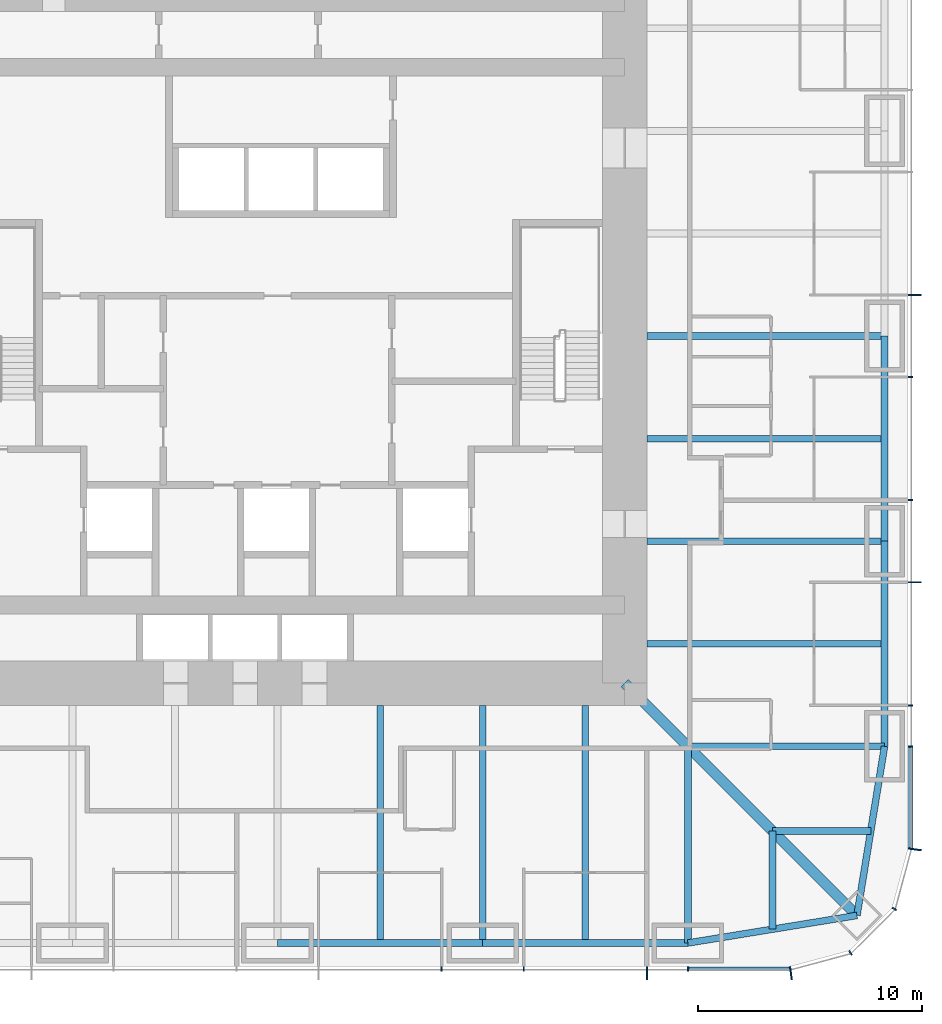
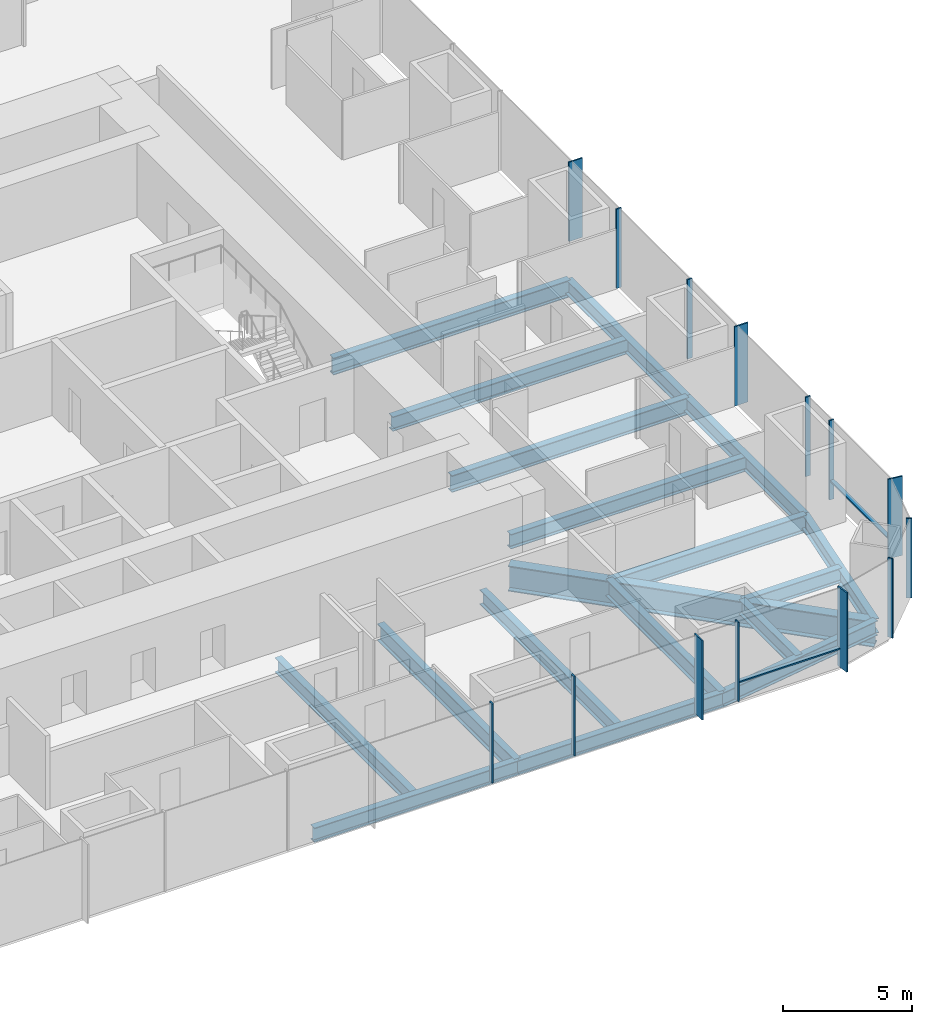
# One storey, part 3 of 12: 18 beams, 16 members, 3 elements without a shape of their own.
"""IFC4 building model written with IfcOpenShell, lengths in metres."""

from ifc_helpers import new_model, si_unit, direction, frame, origin, origin_2d, place, context, subcontext, project, spatial, rectangle, i_section, extrude, material, material_profile, profile_set, type_object, element, aggregate, save


model = new_model("IFC4")

# Units and contexts
model_context = context("Model", 3, precision=1e-05, world=origin(), true_north=direction((0.0, 1.0)))
body_context = subcontext(model_context, "Body", "Model", "MODEL_VIEW")
ifc_project = project(units=[si_unit("LENGTHUNIT", "METRE"), si_unit("AREAUNIT", "SQUARE_METRE"), si_unit("VOLUMEUNIT", "CUBIC_METRE"), si_unit("PLANEANGLEUNIT", "RADIAN"), si_unit("MASSUNIT", "GRAM", prefix="KILO")], contexts=[model_context])

# Site, building, storey
site_placement = place(None, origin())
site = spatial("IfcSite", under=ifc_project, at=site_placement, CompositionType="ELEMENT")
building_placement = place(site_placement, origin())
building = spatial("IfcBuilding", under=site, at=building_placement, Name="Khuree Lantern Residences", CompositionType="ELEMENT")
storey_placement = place(building_placement, frame((0.0, 0.0, 178.5)))
storey = spatial("IfcBuildingStorey", under=building, at=storey_placement, Name="L45", CompositionType="ELEMENT", Elevation=178.5)

# Beams
ifc_material_1 = material(Name="Steel S355", Category="steel")
ifc_material_profile_1 = material_profile(ifc_material_1, i_section(OverallWidth=0.300048828125, OverallDepth=0.68994140625, WebThickness=0.014404296875, FlangeThickness=0.027099609375, FilletRadius=0.027099609375, at=origin_2d()), Name="HE 700 A")
ifc_profile_set_1 = profile_set([ifc_material_profile_1], Name="Steel S355")
beam_type_1 = type_object("IfcBeamType", Name="B-25A SECONDARY BEAM HE 700 A", PredefinedType="BEAM", material=ifc_profile_set_1)
for number, where, z_axis, x_axis, name in (
    (1, (27.10009765625, -4.580078125, -0.594970703125), (-1.0, 0.0, 0.0), (0.0, -1.0, 0.0), "Secondary beam E4"),
    (2, (27.10009765625, -13.739990234375, -0.594970703125), (-1.0, 0.0, 0.0), (0.0, -1.0, 0.0), "Secondary beam E5"),
):
    element("IfcBeam", number, at=place(storey_placement, frame(where, z_axis=z_axis, x_axis=x_axis)), inside=storey, type_object=beam_type_1, Name=name, PredefinedType="BEAM", context=body_context, shape_type="SweptSolid", body=[
        extrude(i_section(OverallWidth=0.300048828125, OverallDepth=0.68994140625, WebThickness=0.014404296875, FlangeThickness=0.027099609375, FilletRadius=0.027099609375, at=origin_2d()), origin(), (0.0, 0.0, 1.0), 10.60009765625),
    ])
for number, where, z_axis, x_axis, name in (
    (3, (26.48486328125, -22.094970703125, -0.594970703125), (-1.0, 0.0, 0.0), (0.0, -1.0, 0.0), "Secondary beam E6"),
    (4, (22.094970703125, -26.48486328125, -0.594970703125), (0.0, 1.0, 0.0), (-1.0, 0.0, 0.0), "Secondary beam S1"),
):
    element("IfcBeam", number, at=place(storey_placement, frame(where, z_axis=z_axis, x_axis=x_axis)), inside=storey, type_object=beam_type_1, Name=name, PredefinedType="BEAM", context=body_context, shape_type="SweptSolid", body=[
        extrude(i_section(OverallWidth=0.300048828125, OverallDepth=0.68994140625, WebThickness=0.014404296875, FlangeThickness=0.027099609375, FilletRadius=0.027099609375, at=origin_2d()), origin(), (0.0, 0.0, 1.0), 4.389892578125),
    ])
for number, where, z_axis, x_axis, name in (
    (5, (13.739990234375, -27.10009765625, -0.594970703125), (0.0, 1.0, 0.0), (-1.0, 0.0, 0.0), "Secondary beam S2"),
    (6, (4.580078125, -27.10009765625, -0.594970703125), (0.0, 1.0, 0.0), (-1.0, 0.0, 0.0), "Secondary beam S3"),
):
    element("IfcBeam", number, at=place(storey_placement, frame(where, z_axis=z_axis, x_axis=x_axis)), inside=storey, type_object=beam_type_1, Name=name, PredefinedType="BEAM", context=body_context, shape_type="SweptSolid", body=[
        extrude(i_section(OverallWidth=0.300048828125, OverallDepth=0.68994140625, WebThickness=0.014404296875, FlangeThickness=0.027099609375, FilletRadius=0.027099609375, at=origin_2d()), origin(), (0.0, 0.0, 1.0), 10.60009765625),
    ])
ifc_material_profile_2 = material_profile(ifc_material_1, i_section(OverallWidth=0.300048828125, OverallDepth=0.68994140625, WebThickness=0.014404296875, FlangeThickness=0.027099609375, FilletRadius=0.027099609375, at=origin_2d()), Name="HE 700 A")
ifc_profile_set_2 = profile_set([ifc_material_profile_2], Name="Steel S355")
beam_type_2 = type_object("IfcBeamType", Name="E-25 SPANDREL BEAM HE 700 A", PredefinedType="SPANDREL", material=ifc_profile_set_2)
beam_1_placement = place(storey_placement, frame((27.10009765625, 0.0, -0.594970703125), z_axis=(0.0, -1.0, 0.0), x_axis=(1.0, 0.0, 0.0)))
element("IfcBeam", 7, at=beam_1_placement, inside=storey, type_object=beam_type_2, Name="Spandrel beam E4", PredefinedType="SPANDREL", context=body_context, shape_type="SweptSolid", body=[
    extrude(i_section(OverallWidth=0.300048828125, OverallDepth=0.68994140625, WebThickness=0.014404296875, FlangeThickness=0.027099609375, FilletRadius=0.027099609375, at=origin_2d()), origin(), (0.0, 0.0, 1.0), 9.159912109375),
])
beam_2_placement = place(storey_placement, frame((27.10009765625, -9.159912109375, -0.594970703125), z_axis=(0.0, -1.0, 0.0), x_axis=(1.0, 0.0, 0.0)))
element("IfcBeam", 8, at=beam_2_placement, inside=storey, type_object=beam_type_2, Name="Spandrel beam E5", PredefinedType="SPANDREL", context=body_context, shape_type="SweptSolid", body=[
    extrude(i_section(OverallWidth=0.300048828125, OverallDepth=0.68994140625, WebThickness=0.014404296875, FlangeThickness=0.027099609375, FilletRadius=0.027099609375, at=origin_2d()), origin(), (0.0, 0.0, 1.0), 9.16015625),
])
for number, where, z_axis, x_axis, name in (
    (9, (27.10009765625, -18.320068359375, -0.594970703125), (-0.160826723833, -0.986982656839, 0.0), (0.986982656839, -0.160826723833, 0.0), "Spandrel beam E6"),
    (10, (25.869873046875, -25.869873046875, -0.594970703125), (-0.986982656839, -0.160826723833, 0.0), (0.160826723833, -0.986982656839, 0.0), "Spandrel beam S1"),
):
    element("IfcBeam", number, at=place(storey_placement, frame(where, z_axis=z_axis, x_axis=x_axis)), inside=storey, type_object=beam_type_2, Name=name, PredefinedType="SPANDREL", context=body_context, shape_type="SweptSolid", body=[
        extrude(i_section(OverallWidth=0.300048828125, OverallDepth=0.68994140625, WebThickness=0.014404296875, FlangeThickness=0.027099609375, FilletRadius=0.027099609375, at=origin_2d()), origin(), (0.0, 0.0, 1.0), 7.6494140625),
    ])
beam_3_placement = place(storey_placement, frame((18.320068359375, -27.10009765625, -0.594970703125), z_axis=(-1.0, 0.0, 0.0), x_axis=(0.0, -1.0, 0.0)))
element("IfcBeam", 11, at=beam_3_placement, inside=storey, type_object=beam_type_2, Name="Spandrel beam S2", PredefinedType="SPANDREL", context=body_context, shape_type="SweptSolid", body=[
    extrude(i_section(OverallWidth=0.300048828125, OverallDepth=0.68994140625, WebThickness=0.014404296875, FlangeThickness=0.027099609375, FilletRadius=0.027099609375, at=origin_2d()), origin(), (0.0, 0.0, 1.0), 9.16015625),
])
beam_4_placement = place(storey_placement, frame((9.159912109375, -27.10009765625, -0.594970703125), z_axis=(-1.0, 0.0, 0.0), x_axis=(0.0, -1.0, 0.0)))
element("IfcBeam", 12, at=beam_4_placement, inside=storey, type_object=beam_type_2, Name="Spandrel beam S3", PredefinedType="SPANDREL", context=body_context, shape_type="SweptSolid", body=[
    extrude(i_section(OverallWidth=0.300048828125, OverallDepth=0.68994140625, WebThickness=0.014404296875, FlangeThickness=0.027099609375, FilletRadius=0.027099609375, at=origin_2d()), origin(), (0.0, 0.0, 1.0), 9.159912109375),
])

# Curtain wall, member
ifc_material_2 = material(Name="Bronze anodised aluminium", Category="aluminium")
curtain_wall_type_1 = type_object("IfcCurtainWallType", Name="CW-T2 TOWER CORNER CURTAIN WALL", PredefinedType="USERDEFINED", material=ifc_material_2)
curtain_wall_1_placement = place(storey_placement, origin())
curtain_wall_1 = element("IfcCurtainWall", 13, at=curtain_wall_1_placement, inside=storey, type_object=curtain_wall_type_1, Name="L45 SOUTH-EAST CORNER CURTAIN WALL", ObjectType="Faceted corner curtain wall", PredefinedType="USERDEFINED")
ifc_material_profile_3 = material_profile(ifc_material_2, rectangle(XDim=0.06494140625, YDim=0.60009765625, at=origin_2d()), Name="F1 65X600")
ifc_profile_set_3 = profile_set([ifc_material_profile_3], Name="Bronze anodised aluminium")
member_type_1 = type_object("IfcMemberType", Name="F1 BRONZE FIN MULLION TOWER 65X600", PredefinedType="MULLION", material=ifc_profile_set_3)
member_1_placement = place(storey_placement, frame((22.919677734375, -28.4501953125, 0.0), z_axis=(0.0, 0.0, 1.0), x_axis=(0.991444857305, 0.130526223125, 0.0)))
member_1 = element("IfcMember", 14, at=member_1_placement, type_object=member_type_1, Name="L45 SOUTH-EAST CORNER FIN MULLION 1", PredefinedType="MULLION", context=body_context, shape_type="SweptSolid", body=[
    extrude(rectangle(XDim=0.06494140625, YDim=0.60009765625, at=origin_2d()), origin(), (0.0, 0.0, 1.0), 3.75),
])

# Curtain wall, members
curtain_wall_type_2 = type_object("IfcCurtainWallType", Name="CW-T1 TOWER FACE CURTAIN WALL", PredefinedType="USERDEFINED", material=ifc_material_2)
curtain_wall_2_placement = place(storey_placement, origin())
curtain_wall_2 = element("IfcCurtainWall", 15, at=curtain_wall_2_placement, inside=storey, type_object=curtain_wall_type_2, Name="L45 EAST FACE CURTAIN WALL", ObjectType="Stick-built curtain wall", PredefinedType="USERDEFINED")
member_2_placement = place(storey_placement, frame((28.4501953125, -22.919677734375, 0.0), z_axis=(0.0, 0.0, 1.0), x_axis=(0.130526223125, 0.991444857305, 0.0)))
member_2 = element("IfcMember", 16, at=member_2_placement, type_object=member_type_1, Name="L45 EAST FACE FIN MULLION 4", PredefinedType="MULLION", context=body_context, shape_type="SweptSolid", body=[
    extrude(rectangle(XDim=0.06494140625, YDim=0.60009765625, at=origin_2d()), origin(), (0.0, 0.0, 1.0), 3.75),
])
member_3_placement = place(storey_placement, frame((28.449951171875, -10.991943359375, 0.0), z_axis=(0.0, 0.0, 1.0), x_axis=(0.0, 1.0, 0.0)))
member_3 = element("IfcMember", 17, at=member_3_placement, type_object=member_type_1, Name="L45 EAST FACE FIN MULLION 7", PredefinedType="MULLION", context=body_context, shape_type="SweptSolid", body=[
    extrude(rectangle(XDim=0.06494140625, YDim=0.60009765625, at=origin_2d()), origin(), (0.0, 0.0, 1.0), 3.75),
])
member_4_placement = place(storey_placement, frame((28.449951171875, 1.83203125, 0.0), z_axis=(0.0, 0.0, 1.0), x_axis=(0.0, 1.0, 0.0)))
member_4 = element("IfcMember", 18, at=member_4_placement, type_object=member_type_1, Name="L45 EAST FACE FIN MULLION 10", PredefinedType="MULLION", context=body_context, shape_type="SweptSolid", body=[
    extrude(rectangle(XDim=0.06494140625, YDim=0.60009765625, at=origin_2d()), origin(), (0.0, 0.0, 1.0), 3.75),
])

# Curtain wall, member
curtain_wall_3_placement = place(storey_placement, origin())
curtain_wall_3 = element("IfcCurtainWall", 19, at=curtain_wall_3_placement, inside=storey, type_object=curtain_wall_type_2, Name="L45 SOUTH FACE CURTAIN WALL", ObjectType="Stick-built curtain wall", PredefinedType="USERDEFINED")
member_5_placement = place(storey_placement, frame((16.488037109375, -28.449951171875, 0.0), z_axis=(0.0, 0.0, 1.0), x_axis=(1.0, 0.0, 0.0)))
member_5 = element("IfcMember", 20, at=member_5_placement, type_object=member_type_1, Name="L45 SOUTH FACE FIN MULLION 55", PredefinedType="MULLION", context=body_context, shape_type="SweptSolid", body=[
    extrude(rectangle(XDim=0.06494140625, YDim=0.60009765625, at=origin_2d()), origin(), (0.0, 0.0, 1.0), 3.75),
])

# Beams
ifc_material_profile_4 = material_profile(ifc_material_1, i_section(OverallWidth=0.300048828125, OverallDepth=0.800048828125, WebThickness=0.017578125, FlangeThickness=0.032958984375, FilletRadius=0.030029296875, at=origin_2d()), Name="HE 800 B")
ifc_profile_set_4 = profile_set([ifc_material_profile_4], Name="Steel S355")
beam_type_3 = type_object("IfcBeamType", Name="G-25A GIRDER HE 800 B", PredefinedType="BEAM", material=ifc_profile_set_4)
for number, where, z_axis, x_axis, name in (
    (21, (27.10009765625, 0.0, -0.64990234375), (-1.0, 0.0, 0.0), (0.0, -1.0, 0.0), "Girder E3"),
    (22, (27.10009765625, -9.159912109375, -0.64990234375), (-1.0, 0.0, 0.0), (0.0, -1.0, 0.0), "Girder E4"),
):
    element("IfcBeam", number, at=place(storey_placement, frame(where, z_axis=z_axis, x_axis=x_axis)), inside=storey, type_object=beam_type_3, Name=name, PredefinedType="BEAM", context=body_context, shape_type="SweptSolid", body=[
        extrude(i_section(OverallWidth=0.300048828125, OverallDepth=0.800048828125, WebThickness=0.017578125, FlangeThickness=0.032958984375, FilletRadius=0.030029296875, at=origin_2d()), origin(), (0.0, 0.0, 1.0), 10.60009765625),
    ])
for number, where, z_axis, x_axis, name in (
    (23, (27.10009765625, -18.320068359375, -0.64990234375), (-1.0, 0.0, 0.0), (0.0, -1.0, 0.0), "Girder E5"),
    (24, (18.320068359375, -27.10009765625, -0.64990234375), (0.0, 1.0, 0.0), (-1.0, 0.0, 0.0), "Girder S1"),
):
    element("IfcBeam", number, at=place(storey_placement, frame(where, z_axis=z_axis, x_axis=x_axis)), inside=storey, type_object=beam_type_3, Name=name, PredefinedType="BEAM", context=body_context, shape_type="SweptSolid", body=[
        extrude(i_section(OverallWidth=0.300048828125, OverallDepth=0.800048828125, WebThickness=0.017578125, FlangeThickness=0.032958984375, FilletRadius=0.030029296875, at=origin_2d()), origin(), (0.0, 0.0, 1.0), 8.780029296875),
    ])
beam_5_placement = place(storey_placement, frame((9.159912109375, -27.10009765625, -0.64990234375), z_axis=(0.0, 1.0, 0.0), x_axis=(-1.0, 0.0, 0.0)))
element("IfcBeam", 25, at=beam_5_placement, inside=storey, type_object=beam_type_3, Name="Girder S2", PredefinedType="BEAM", context=body_context, shape_type="SweptSolid", body=[
    extrude(i_section(OverallWidth=0.300048828125, OverallDepth=0.800048828125, WebThickness=0.017578125, FlangeThickness=0.032958984375, FilletRadius=0.030029296875, at=origin_2d()), origin(), (0.0, 0.0, 1.0), 10.60009765625),
])
ifc_material_profile_5 = material_profile(ifc_material_1, i_section(OverallWidth=0.449951171875, OverallDepth=1.199951171875, WebThickness=0.02490234375, FlangeThickness=0.044921875, at=origin_2d()), Name="WELDED I 1200X450X25X45")
ifc_profile_set_5 = profile_set([ifc_material_profile_5], Name="Steel S355")
beam_type_4 = type_object("IfcBeamType", Name="GD-25 CORNER GIRDER WELDED I 1200X450X25X45", PredefinedType="BEAM", material=ifc_profile_set_5)
beam_6_placement = place(storey_placement, frame((25.869873046875, -25.869873046875, -0.85009765625), z_axis=(-0.707106781187, 0.707106781187, 0.0), x_axis=(-0.707106781187, -0.707106781187, 0.0)))
element("IfcBeam", 26, at=beam_6_placement, inside=storey, type_object=beam_type_4, Name="Corner girder SE", PredefinedType="BEAM", context=body_context, shape_type="SweptSolid", body=[
    extrude(i_section(OverallWidth=0.449951171875, OverallDepth=1.199951171875, WebThickness=0.02490234375, FlangeThickness=0.044921875, at=origin_2d()), origin(), (0.0, 0.0, 1.0), 14.665283203125),
])

# Member
ifc_material_profile_6 = material_profile(ifc_material_2, rectangle(XDim=0.06494140625, YDim=0.219970703125, at=origin_2d()), Name="M1 65X220")
ifc_profile_set_6 = profile_set([ifc_material_profile_6], Name="Bronze anodised aluminium")
member_type_2 = type_object("IfcMemberType", Name="M1 BRONZE MULLION TOWER 65X220", PredefinedType="MULLION", material=ifc_profile_set_6)
member_6_placement = place(storey_placement, frame((25.580078125, -27.5419921875, 0.0), z_axis=(0.0, 0.0, 1.0), x_axis=(0.866025388199, 0.500000026995, 0.0)))
member_6 = element("IfcMember", 27, at=member_6_placement, type_object=member_type_2, Name="L45 SOUTH-EAST CORNER MULLION 2", PredefinedType="MULLION", context=body_context, shape_type="SweptSolid", body=[
    extrude(rectangle(XDim=0.06494140625, YDim=0.219970703125, at=origin_2d()), origin(), (0.0, 0.0, 1.0), 3.75),
])

member_7_placement = place(storey_placement, frame((27.5419921875, -25.580078125, 0.0), z_axis=(0.0, 0.0, 1.0), x_axis=(0.500000026995, 0.866025388199, 0.0)))
member_7 = element("IfcMember", 28, at=member_7_placement, type_object=member_type_2, Name="L45 SOUTH-EAST CORNER MULLION 3", PredefinedType="MULLION", context=body_context, shape_type="SweptSolid", body=[
    extrude(rectangle(XDim=0.06494140625, YDim=0.219970703125, at=origin_2d()), origin(), (0.0, 0.0, 1.0), 3.75),
])

aggregate(curtain_wall_1, [member_1, member_6, member_7])

member_8_placement = place(storey_placement, frame((28.260009765625, -18.320068359375, 0.0), z_axis=(0.0, 0.0, 1.0), x_axis=(0.0, 1.0, 0.0)))
member_8 = element("IfcMember", 29, at=member_8_placement, type_object=member_type_2, Name="L45 EAST FACE MULLION 5", PredefinedType="MULLION", context=body_context, shape_type="SweptSolid", body=[
    extrude(rectangle(XDim=0.06494140625, YDim=0.219970703125, at=origin_2d()), origin(), (0.0, 0.0, 1.0), 3.75),
])

member_9_placement = place(storey_placement, frame((28.260009765625, -16.488037109375, 0.0), z_axis=(0.0, 0.0, 1.0), x_axis=(0.0, 1.0, 0.0)))
member_9 = element("IfcMember", 30, at=member_9_placement, type_object=member_type_2, Name="L45 EAST FACE MULLION 6", PredefinedType="MULLION", context=body_context, shape_type="SweptSolid", body=[
    extrude(rectangle(XDim=0.06494140625, YDim=0.219970703125, at=origin_2d()), origin(), (0.0, 0.0, 1.0), 3.75),
])

member_10_placement = place(storey_placement, frame((28.260009765625, -7.327880859375, 0.0), z_axis=(0.0, 0.0, 1.0), x_axis=(0.0, 1.0, 0.0)))
member_10 = element("IfcMember", 31, at=member_10_placement, type_object=member_type_2, Name="L45 EAST FACE MULLION 8", PredefinedType="MULLION", context=body_context, shape_type="SweptSolid", body=[
    extrude(rectangle(XDim=0.06494140625, YDim=0.219970703125, at=origin_2d()), origin(), (0.0, 0.0, 1.0), 3.75),
])

member_11_placement = place(storey_placement, frame((28.260009765625, -1.83203125, 0.0), z_axis=(0.0, 0.0, 1.0), x_axis=(0.0, 1.0, 0.0)))
member_11 = element("IfcMember", 32, at=member_11_placement, type_object=member_type_2, Name="L45 EAST FACE MULLION 9", PredefinedType="MULLION", context=body_context, shape_type="SweptSolid", body=[
    extrude(rectangle(XDim=0.06494140625, YDim=0.219970703125, at=origin_2d()), origin(), (0.0, 0.0, 1.0), 3.75),
])

member_12_placement = place(storey_placement, frame((7.327880859375, -28.260009765625, 0.0), z_axis=(0.0, 0.0, 1.0), x_axis=(1.0, 0.0, 0.0)))
member_12 = element("IfcMember", 33, at=member_12_placement, type_object=member_type_2, Name="L45 SOUTH FACE MULLION 53", PredefinedType="MULLION", context=body_context, shape_type="SweptSolid", body=[
    extrude(rectangle(XDim=0.06494140625, YDim=0.219970703125, at=origin_2d()), origin(), (0.0, 0.0, 1.0), 3.75),
])

member_13_placement = place(storey_placement, frame((10.991943359375, -28.260009765625, 0.0), z_axis=(0.0, 0.0, 1.0), x_axis=(1.0, 0.0, 0.0)))
member_13 = element("IfcMember", 34, at=member_13_placement, type_object=member_type_2, Name="L45 SOUTH FACE MULLION 54", PredefinedType="MULLION", context=body_context, shape_type="SweptSolid", body=[
    extrude(rectangle(XDim=0.06494140625, YDim=0.219970703125, at=origin_2d()), origin(), (0.0, 0.0, 1.0), 3.75),
])

member_14_placement = place(storey_placement, frame((18.320068359375, -28.260009765625, 0.0), z_axis=(0.0, 0.0, 1.0), x_axis=(1.0, 0.0, 0.0)))
member_14 = element("IfcMember", 35, at=member_14_placement, type_object=member_type_2, Name="L45 SOUTH FACE MULLION 56", PredefinedType="MULLION", context=body_context, shape_type="SweptSolid", body=[
    extrude(rectangle(XDim=0.06494140625, YDim=0.219970703125, at=origin_2d()), origin(), (0.0, 0.0, 1.0), 3.75),
])

ifc_material_profile_7 = material_profile(ifc_material_2, rectangle(XDim=0.179931640625, YDim=0.06494140625, at=origin_2d()), Name="T1 180X65")
ifc_profile_set_7 = profile_set([ifc_material_profile_7], Name="Bronze anodised aluminium")
member_type_3 = type_object("IfcMemberType", Name="TRANSOM T1 TOWER 180X65", PredefinedType="USERDEFINED", material=ifc_profile_set_7)
member_15_placement = place(storey_placement, frame((28.27001953125, -22.851318359375, 0.89990234375), z_axis=(0.0, 1.0, 0.0), x_axis=(-1.0, 0.0, 0.0)))
member_15 = element("IfcMember", 36, at=member_15_placement, type_object=member_type_3, Name="L45 EAST FACE TRANSOM 4.1", ObjectType="Transom", PredefinedType="USERDEFINED", context=body_context, shape_type="SweptSolid", body=[
    extrude(rectangle(XDim=0.179931640625, YDim=0.06494140625, at=origin_2d()), origin(), (0.0, 0.0, 1.0), 4.498779296875),
])

aggregate(curtain_wall_2, [member_2, member_8, member_9, member_3, member_10, member_11, member_4, member_15])

member_16_placement = place(storey_placement, frame((18.3525390625, -28.27001953125, 0.89990234375), z_axis=(1.0, 0.0, 0.0), x_axis=(0.0, 1.0, 0.0)))
member_16 = element("IfcMember", 37, at=member_16_placement, type_object=member_type_3, Name="L45 SOUTH FACE TRANSOM 56.1", ObjectType="Transom", PredefinedType="USERDEFINED", context=body_context, shape_type="SweptSolid", body=[
    extrude(rectangle(XDim=0.179931640625, YDim=0.06494140625, at=origin_2d()), origin(), (0.0, 0.0, 1.0), 4.498779296875),
])

aggregate(curtain_wall_3, [member_12, member_13, member_5, member_14, member_16])

save(model, "model.ifc")
